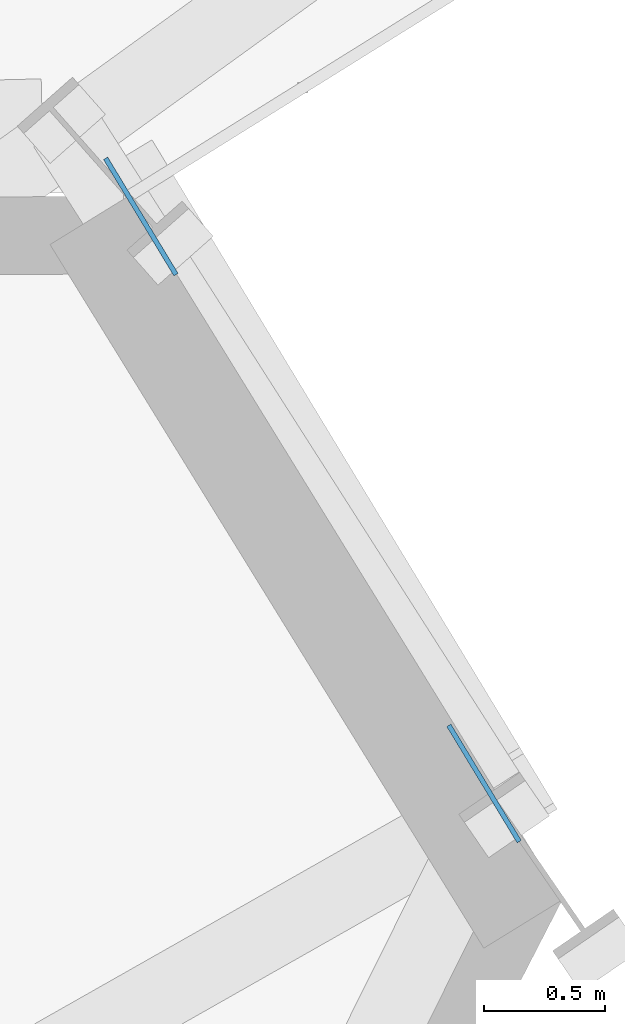
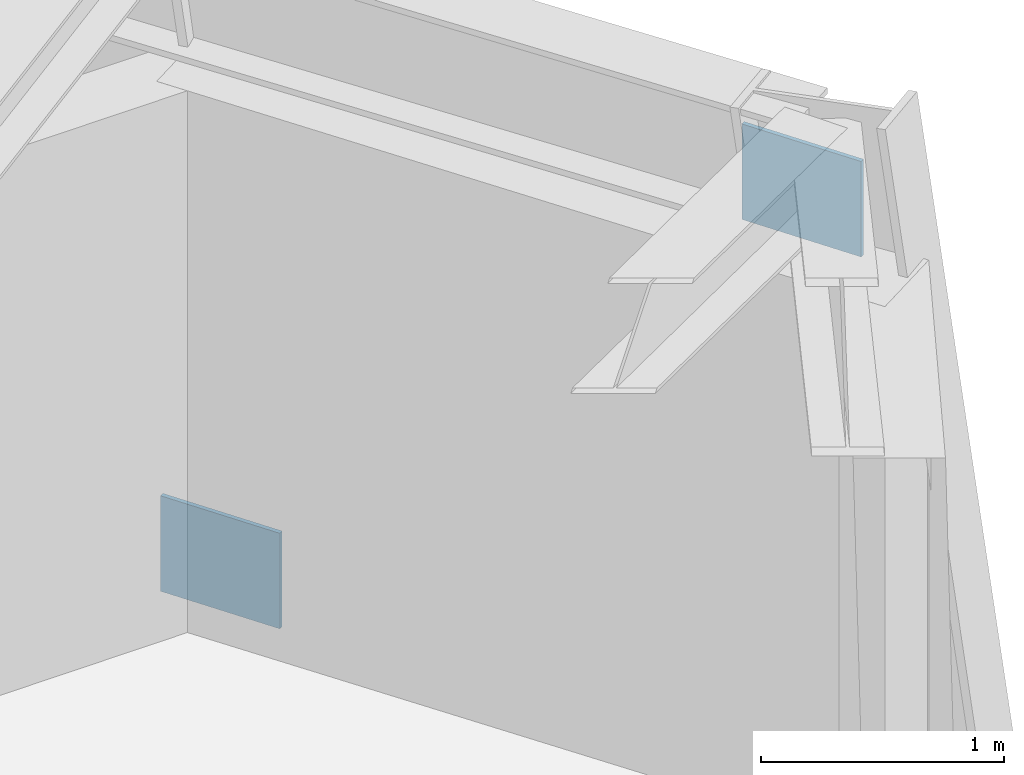
# One storey, part 8 of 15: 2 plates.
"""IFC4 building model written with IfcOpenShell, lengths in metres."""

from ifc_helpers import new_model, si_unit, direction, frame, origin, origin_2d, place, context, subcontext, project, spatial, rectangle, extrude, source, transform, mapped, material, type_object, element, save


model = new_model("IFC4")

# Units and contexts
model_context = context("Model", 3, precision=1e-05, world=origin(), true_north=direction((0.0, 1.0)))
body_context = subcontext(model_context, "Body", "Model", "MODEL_VIEW")
ifc_project = project(units=[si_unit("LENGTHUNIT", "METRE"), si_unit("AREAUNIT", "SQUARE_METRE"), si_unit("VOLUMEUNIT", "CUBIC_METRE"), si_unit("PLANEANGLEUNIT", "RADIAN"), si_unit("MASSUNIT", "GRAM", prefix="KILO")], contexts=[model_context])

# Site, building, storey
site_placement = place(None, origin())
site = spatial("IfcSite", under=ifc_project, at=site_placement, CompositionType="ELEMENT")
building_placement = place(site_placement, origin())
building = spatial("IfcBuilding", under=site, at=building_placement, Name="Olszyna Solenne Hotel", CompositionType="ELEMENT")
storey_placement = place(building_placement, frame((0.0, 0.0, 164.35009765625)))
storey = spatial("IfcBuildingStorey", under=building, at=storey_placement, Name="L43", CompositionType="ELEMENT", Elevation=164.35009765625)

# Plates
ifc_material = material(Name="Steel S355J2", Category="steel")
plate_type = type_object("IfcPlateType", Name="GP-ND2", PredefinedType="USERDEFINED", material=ifc_material)
shared_shape = source(origin(), body_context, "Body", "SweptSolid", [
    extrude(rectangle(XDim=0.56005859375, YDim=0.02001953125, at=origin_2d()), origin(), (0.0, 0.0, 1.0), 0.47998046875),
])
for number, where, z_axis, x_axis, name in (
    (1, (62.061767578125, 43.501953125, -0.1298828125), (0.0, 0.0, 1.0), (0.517877712257, -0.855454659901, 0.0), "Brace end connection gusset plate GP-ND2 EP-BR-L43-1-1"),
    (2, (63.475830078125, 41.166015625, 2.659912109375), (0.0, 0.0, 1.0), (0.517877712257, -0.855454659901, 0.0), "Brace end connection gusset plate GP-ND2 EP-BR-L43-1-2"),
):
    element("IfcPlate", number, at=place(storey_placement, frame(where, z_axis=z_axis, x_axis=x_axis)), inside=storey, type_object=plate_type, Name=name, ObjectType="GUSSET_PLATE", PredefinedType="USERDEFINED", context=body_context, shape_type="MappedRepresentation", body=[
        mapped(shared_shape, transform((0.0, 0.0, 0.0), x_axis=(1.0, 0.0, 0.0), y_axis=(0.0, 1.0, 0.0), z_axis=(0.0, 0.0, 1.0), scale=1.0)),
    ])

save(model, "model.ifc")
